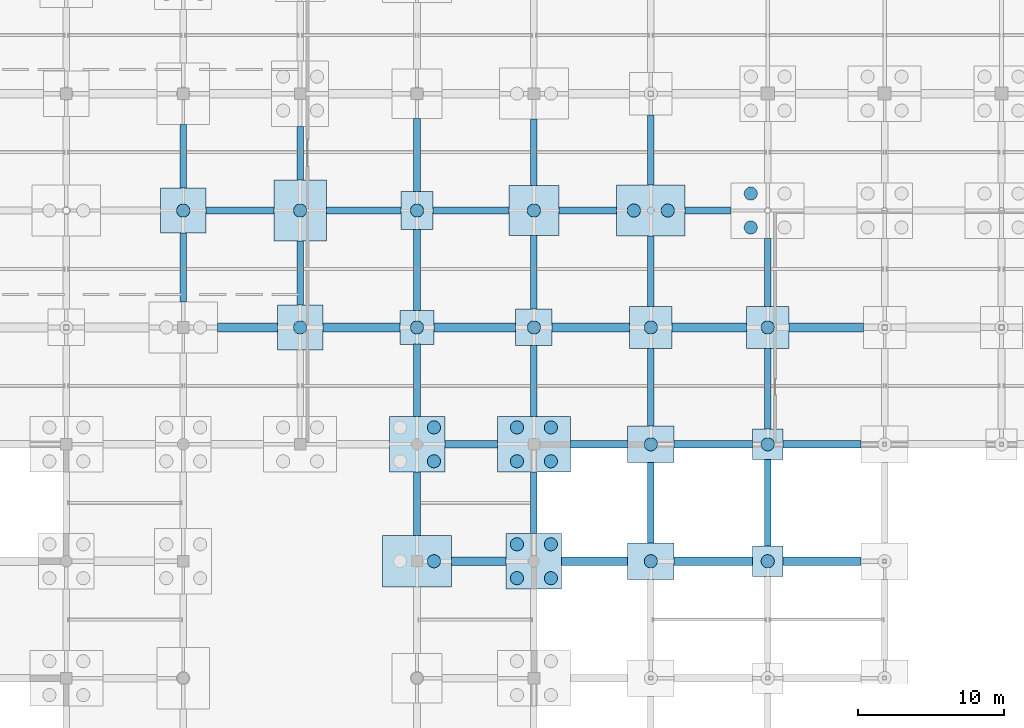
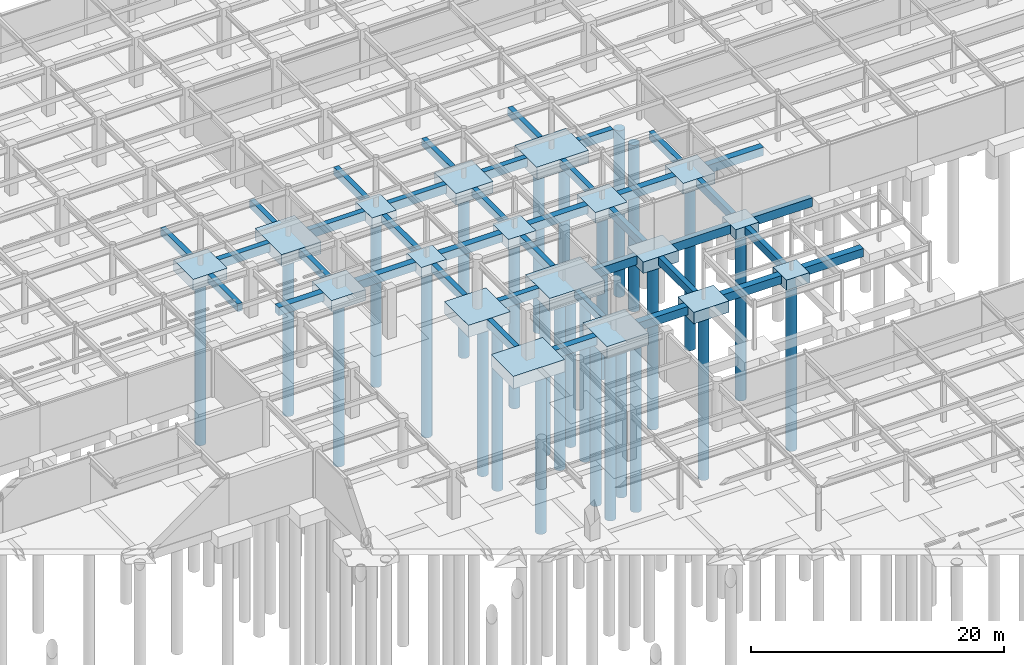
# One storey, part 7 of 105: 56 footings, 28 piles.
"""IFC4 building model written with IfcOpenShell, lengths in metres."""

from ifc_helpers import new_model, si_unit, direction, frame, origin, origin_2d, place, context, subcontext, project, spatial, rectangle, circle, extrude, material, material_profile, profile_set, type_object, element, save


model = new_model("IFC4")

# Units and contexts
model_context = context("Model", 3, precision=1e-05, world=origin(), true_north=direction((0.0, 1.0)))
body_context = subcontext(model_context, "Body", "Model", "MODEL_VIEW")
ifc_project = project(units=[si_unit("LENGTHUNIT", "METRE"), si_unit("AREAUNIT", "SQUARE_METRE"), si_unit("VOLUMEUNIT", "CUBIC_METRE"), si_unit("PLANEANGLEUNIT", "RADIAN"), si_unit("MASSUNIT", "GRAM", prefix="KILO")], contexts=[model_context])

# Site, building, storey
site_placement = place(None, origin())
site = spatial("IfcSite", under=ifc_project, at=site_placement, CompositionType="ELEMENT")
building_placement = place(site_placement, origin())
building = spatial("IfcBuilding", under=site, at=building_placement, Name="Solmirada Galleria", CompositionType="ELEMENT")
storey_placement = place(building_placement, frame((0.0, 0.0, -4.800048828125)))
storey = spatial("IfcBuildingStorey", under=building, at=storey_placement, Name="B1", CompositionType="ELEMENT", Elevation=-4.800048828125)

# Footings
ifc_material_1 = material(Name="Concrete C35/45", Category="concrete")
footing_type_1 = type_object("IfcFootingType", Name="PC-01", PredefinedType="PILE_CAP", material=ifc_material_1)
for number, where, z_axis, x_axis, name in (
    (1, (128.0, 64.0, -1.0), (0.0, 0.0, 1.0), (1.0, 0.0, 0.0), "Pile cap at (128.0, 64.0)"),
    (2, (128.0, 72.0, -1.0), (0.0, 0.0, 1.0), (1.0, 0.0, 0.0), "Pile cap at (128.0, 72.0)"),
):
    element("IfcFooting", number, at=place(storey_placement, frame(where, z_axis=z_axis, x_axis=x_axis)), inside=storey, type_object=footing_type_1, Name=name, PredefinedType="PILE_CAP", context=body_context, shape_type="SweptSolid", body=[
        extrude(rectangle(XDim=2.10009765625, YDim=2.10009765625, at=origin_2d()), origin(), (0.0, 0.0, 1.0), 1.0),
    ])
footing_type_2 = type_object("IfcFootingType", Name="PC-02", PredefinedType="PILE_CAP", material=ifc_material_1)
footing_1_placement = place(storey_placement, frame((112.0, 80.0, -1.0), z_axis=(0.0, 0.0, 1.0), x_axis=(1.0, 0.0, 0.0)))
element("IfcFooting", 3, at=footing_1_placement, inside=storey, type_object=footing_type_2, Name="Pile cap at (112.0, 80.0)", PredefinedType="PILE_CAP", context=body_context, shape_type="SweptSolid", body=[
    extrude(rectangle(XDim=2.5, YDim=2.5, at=origin_2d()), origin(), (0.0, 0.0, 1.0), 1.0),
])
footing_type_3 = type_object("IfcFootingType", Name="PC-03", PredefinedType="PILE_CAP", material=ifc_material_1)
for number, where, z_axis, x_axis, name in (
    (4, (120.0, 80.0, -1.0498046875), (0.0, 0.0, 1.0), (1.0, 0.0, 0.0), "Pile cap at (120.0, 80.0)"),
    (5, (128.0, 80.0, -1.0498046875), (0.0, 0.0, 1.0), (1.0, 0.0, 0.0), "Pile cap at (128.0, 80.0)"),
):
    element("IfcFooting", number, at=place(storey_placement, frame(where, z_axis=z_axis, x_axis=x_axis)), inside=storey, type_object=footing_type_3, Name=name, PredefinedType="PILE_CAP", context=body_context, shape_type="SweptSolid", body=[
        extrude(rectangle(XDim=2.89990234375, YDim=2.89990234375, at=origin_2d()), origin(), (0.0, 0.0, 1.0), 1.050048828125),
    ])
footing_type_4 = type_object("IfcFootingType", Name="PC-04", PredefinedType="PILE_CAP", material=ifc_material_1)
footing_2_placement = place(storey_placement, frame((112.0, 88.0, -1.10009765625), z_axis=(0.0, 0.0, 1.0), x_axis=(1.0, 0.0, 0.0)))
element("IfcFooting", 6, at=footing_2_placement, inside=storey, type_object=footing_type_4, Name="Pile cap at (112.0, 88.0)", PredefinedType="PILE_CAP", context=body_context, shape_type="SweptSolid", body=[
    extrude(rectangle(XDim=3.39990234375, YDim=3.39990234375, at=origin_2d()), origin(), (0.0, 0.0, 1.0), 1.10009765625),
])
footing_type_5 = type_object("IfcFootingType", Name="PC-05", PredefinedType="PILE_CAP", material=ifc_material_1)
for number, where, z_axis, x_axis, name in (
    (7, (104.0, 72.0, -1.14990234375), (0.0, 0.0, 1.0), (1.0, 0.0, 0.0), "Pile cap at (104.0, 72.0)"),
    (8, (112.0, 64.0, -1.14990234375), (0.0, 0.0, 1.0), (1.0, 0.0, 0.0), "Pile cap at (112.0, 64.0)"),
):
    element("IfcFooting", number, at=place(storey_placement, frame(where, z_axis=z_axis, x_axis=x_axis)), inside=storey, type_object=footing_type_5, Name=name, PredefinedType="PILE_CAP", context=body_context, shape_type="SweptSolid", body=[
        extrude(rectangle(XDim=3.800048828125, YDim=3.800048828125, at=origin_2d()), origin(), (0.0, 0.0, 1.0), 1.14990234375),
    ])
footing_type_6 = type_object("IfcFootingType", Name="PC-08", PredefinedType="PILE_CAP", material=ifc_material_1)
for number, where, z_axis, x_axis, name in (
    (9, (104.0, 64.0, -1.19970703125), (0.0, 0.0, 1.0), (1.0, 0.0, 0.0), "Pile cap at (104.0, 64.0)"),
    (10, (120.0, 88.0, -1.19970703125), (0.0, 0.0, 1.0), (1.0, 0.0, 0.0), "Pile cap at (120.0, 88.0)"),
):
    element("IfcFooting", number, at=place(storey_placement, frame(where, z_axis=z_axis, x_axis=x_axis)), inside=storey, type_object=footing_type_6, Name=name, PredefinedType="PILE_CAP", context=body_context, shape_type="SweptSolid", body=[
        extrude(rectangle(XDim=4.699951171875, YDim=3.5, at=origin_2d()), origin(), (0.0, 0.0, 1.0), 1.199951171875),
    ])
footing_type_7 = type_object("IfcFootingType", Name="PC-09", PredefinedType="PILE_CAP", material=ifc_material_1)
footing_3_placement = place(storey_placement, frame((112.0, 72.0, -1.25), z_axis=(0.0, 0.0, 1.0), x_axis=(1.0, 0.0, 0.0)))
element("IfcFooting", 11, at=footing_3_placement, inside=storey, type_object=footing_type_7, Name="Pile cap at (112.0, 72.0)", PredefinedType="PILE_CAP", context=body_context, shape_type="SweptSolid", body=[
    extrude(rectangle(XDim=5.0, YDim=3.800048828125, at=origin_2d()), origin(), (0.0, 0.0, 1.0), 1.25),
])
footing_type_8 = type_object("IfcFootingType", Name="PC-10", PredefinedType="PILE_CAP", material=ifc_material_1)
for number, where, z_axis, x_axis, name in (
    (12, (120.0, 64.0, -1.10009765625), (0.0, 0.0, 1.0), (1.0, 0.0, 0.0), "Pile cap at (120.0, 64.0)"),
    (13, (120.0, 72.0, -1.10009765625), (0.0, 0.0, 1.0), (1.0, 0.0, 0.0), "Pile cap at (120.0, 72.0)"),
):
    element("IfcFooting", number, at=place(storey_placement, frame(where, z_axis=z_axis, x_axis=x_axis)), inside=storey, type_object=footing_type_8, Name=name, PredefinedType="PILE_CAP", context=body_context, shape_type="SweptSolid", body=[
        extrude(rectangle(XDim=3.199951171875, YDim=2.5, at=origin_2d()), origin(), (0.0, 0.0, 1.0), 1.10009765625),
    ])
footing_type_9 = type_object("IfcFootingType", Name="PC-18", PredefinedType="PILE_CAP", material=ifc_material_1)
footing_4_placement = place(storey_placement, frame((104.0, 80.0, -1.0), z_axis=(0.0, 0.0, 1.0), x_axis=(1.0, 0.0, 0.0)))
element("IfcFooting", 14, at=footing_4_placement, inside=storey, type_object=footing_type_9, Name="Pile cap at (104.0, 80.0)", PredefinedType="PILE_CAP", context=body_context, shape_type="SweptSolid", body=[
    extrude(rectangle(XDim=2.300048828125, YDim=2.300048828125, at=origin_2d()), origin(), (0.0, 0.0, 1.0), 1.0),
])
footing_type_10 = type_object("IfcFootingType", Name="PC-20", PredefinedType="PILE_CAP", material=ifc_material_1)
for number, where, z_axis, x_axis, name in (
    (15, (88.0, 88.0, -1.0498046875), (0.0, 0.0, 1.0), (1.0, 0.0, 0.0), "Pile cap at (88.0, 88.0)"),
    (16, (96.0, 80.0, -1.0498046875), (0.0, 0.0, 1.0), (1.0, 0.0, 0.0), "Pile cap at (96.0, 80.0)"),
):
    element("IfcFooting", number, at=place(storey_placement, frame(where, z_axis=z_axis, x_axis=x_axis)), inside=storey, type_object=footing_type_10, Name=name, PredefinedType="PILE_CAP", context=body_context, shape_type="SweptSolid", body=[
        extrude(rectangle(XDim=3.10009765625, YDim=3.10009765625, at=origin_2d()), origin(), (0.0, 0.0, 1.0), 1.050048828125),
    ])
footing_type_11 = type_object("IfcFootingType", Name="PC-21", PredefinedType="PILE_CAP", material=ifc_material_1)
footing_5_placement = place(storey_placement, frame((104.0, 88.0, -1.0), z_axis=(0.0, 0.0, 1.0), x_axis=(1.0, 0.0, 0.0)))
element("IfcFooting", 17, at=footing_5_placement, inside=storey, type_object=footing_type_11, Name="Pile cap at (104.0, 88.0)", PredefinedType="PILE_CAP", context=body_context, shape_type="SweptSolid", body=[
    extrude(rectangle(XDim=2.199951171875, YDim=2.60009765625, at=origin_2d()), origin(), (0.0, 0.0, 1.0), 1.0),
])
footing_type_12 = type_object("IfcFootingType", Name="PC-25", PredefinedType="PILE_CAP", material=ifc_material_1)
footing_6_placement = place(storey_placement, frame((96.0, 88.0, -1.14990234375), z_axis=(0.0, 0.0, 1.0), x_axis=(1.0, 0.0, 0.0)))
element("IfcFooting", 18, at=footing_6_placement, inside=storey, type_object=footing_type_12, Name="Pile cap at (96.0, 88.0)", PredefinedType="PILE_CAP", context=body_context, shape_type="SweptSolid", body=[
    extrude(rectangle(XDim=3.60009765625, YDim=4.199951171875, at=origin_2d()), origin(), (0.0, 0.0, 1.0), 1.14990234375),
])

# Piles
ifc_material_2 = material(Name="Concrete C40/50", Category="concrete")
ifc_material_profile_1 = material_profile(ifc_material_2, circle(Radius=0.449951171875, at=origin_2d()), Name="PILE900")
ifc_profile_set_1 = profile_set([ifc_material_profile_1], Name="Concrete C40/50")
pile_type = type_object("IfcPileType", Name="PILE-900", PredefinedType="BORED", material=ifc_profile_set_1)
for number, where, z_axis, x_axis, name in (
    (19, (88.0, 88.0, -0.949951171875), (0.0, 0.0, -1.0), (1.0, 0.0, 0.0), "Bored pile at (88.00, 88.00)"),
    (20, (96.0, 80.0, -0.949951171875), (0.0, 0.0, -1.0), (1.0, 0.0, 0.0), "Bored pile at (96.00, 80.00)"),
):
    element("IfcPile", number, at=place(storey_placement, frame(where, z_axis=z_axis, x_axis=x_axis)), inside=storey, type_object=pile_type, Name=name, PredefinedType="BORED", context=body_context, shape_type="SweptSolid", body=[
        extrude(circle(Radius=0.449951171875, at=origin_2d()), origin(), (0.0, 0.0, 1.0), 16.25),
    ])
pile_1_placement = place(storey_placement, frame((96.0, 88.0, -1.050048828125), z_axis=(0.0, 0.0, -1.0), x_axis=(1.0, 0.0, 0.0)))
element("IfcPile", 21, at=pile_1_placement, inside=storey, type_object=pile_type, Name="Bored pile at (96.00, 88.00)", PredefinedType="BORED", context=body_context, shape_type="SweptSolid", body=[
    extrude(circle(Radius=0.449951171875, at=origin_2d()), origin(), (0.0, 0.0, 1.0), 16.14990234375),
])
pile_2_placement = place(storey_placement, frame((105.159912109375, 64.0, -1.099853515625), z_axis=(0.0, 0.0, -1.0), x_axis=(1.0, 0.0, 0.0)))
element("IfcPile", 22, at=pile_2_placement, inside=storey, type_object=pile_type, Name="Bored pile at (105.16, 64.00)", PredefinedType="BORED", context=body_context, shape_type="SweptSolid", body=[
    extrude(circle(Radius=0.449951171875, at=origin_2d()), origin(), (0.0, 0.0, 1.0), 16.10009765625),
])
for number, where, z_axis, x_axis, name in (
    (23, (105.159912109375, 70.840087890625, -1.050048828125), (0.0, 0.0, -1.0), (1.0, 0.0, 0.0), "Bored pile at (105.16, 70.84)"),
    (24, (105.159912109375, 73.159912109375, -1.050048828125), (0.0, 0.0, -1.0), (1.0, 0.0, 0.0), "Bored pile at (105.16, 73.16)"),
):
    element("IfcPile", number, at=place(storey_placement, frame(where, z_axis=z_axis, x_axis=x_axis)), inside=storey, type_object=pile_type, Name=name, PredefinedType="BORED", context=body_context, shape_type="SweptSolid", body=[
        extrude(circle(Radius=0.449951171875, at=origin_2d()), origin(), (0.0, 0.0, 1.0), 16.14990234375),
    ])
for number, where, z_axis, x_axis, name in (
    (25, (104.0, 80.0, -0.89990234375), (0.0, 0.0, -1.0), (1.0, 0.0, 0.0), "Bored pile at (104.00, 80.00)"),
    (26, (104.0, 88.0, -0.89990234375), (0.0, 0.0, -1.0), (1.0, 0.0, 0.0), "Bored pile at (104.00, 88.00)"),
):
    element("IfcPile", number, at=place(storey_placement, frame(where, z_axis=z_axis, x_axis=x_axis)), inside=storey, type_object=pile_type, Name=name, PredefinedType="BORED", context=body_context, shape_type="SweptSolid", body=[
        extrude(circle(Radius=0.449951171875, at=origin_2d()), origin(), (0.0, 0.0, 1.0), 16.300048828125),
    ])
for number, where, z_axis, x_axis, name in (
    (27, (110.840087890625, 62.840087890625, -1.050048828125), (0.0, 0.0, -1.0), (1.0, 0.0, 0.0), "Bored pile at (110.84, 62.84)"),
    (28, (113.159912109375, 62.840087890625, -1.050048828125), (0.0, 0.0, -1.0), (1.0, 0.0, 0.0), "Bored pile at (113.16, 62.84)"),
    (29, (110.840087890625, 65.159912109375, -1.050048828125), (0.0, 0.0, -1.0), (1.0, 0.0, 0.0), "Bored pile at (110.84, 65.16)"),
    (30, (113.159912109375, 65.159912109375, -1.050048828125), (0.0, 0.0, -1.0), (1.0, 0.0, 0.0), "Bored pile at (113.16, 65.16)"),
):
    element("IfcPile", number, at=place(storey_placement, frame(where, z_axis=z_axis, x_axis=x_axis)), inside=storey, type_object=pile_type, Name=name, PredefinedType="BORED", context=body_context, shape_type="SweptSolid", body=[
        extrude(circle(Radius=0.449951171875, at=origin_2d()), origin(), (0.0, 0.0, 1.0), 16.14990234375),
    ])
for number, where, z_axis, x_axis, name in (
    (31, (110.840087890625, 70.840087890625, -1.14990234375), (0.0, 0.0, -1.0), (1.0, 0.0, 0.0), "Bored pile at (110.84, 70.84)"),
    (32, (113.159912109375, 70.840087890625, -1.14990234375), (0.0, 0.0, -1.0), (1.0, 0.0, 0.0), "Bored pile at (113.16, 70.84)"),
    (33, (110.840087890625, 73.159912109375, -1.14990234375), (0.0, 0.0, -1.0), (1.0, 0.0, 0.0), "Bored pile at (110.84, 73.16)"),
    (34, (113.159912109375, 73.159912109375, -1.14990234375), (0.0, 0.0, -1.0), (1.0, 0.0, 0.0), "Bored pile at (113.16, 73.16)"),
):
    element("IfcPile", number, at=place(storey_placement, frame(where, z_axis=z_axis, x_axis=x_axis)), inside=storey, type_object=pile_type, Name=name, PredefinedType="BORED", context=body_context, shape_type="SweptSolid", body=[
        extrude(circle(Radius=0.449951171875, at=origin_2d()), origin(), (0.0, 0.0, 1.0), 16.050048828125),
    ])
pile_3_placement = place(storey_placement, frame((112.0, 80.0, -0.89990234375), z_axis=(0.0, 0.0, -1.0), x_axis=(1.0, 0.0, 0.0)))
element("IfcPile", 35, at=pile_3_placement, inside=storey, type_object=pile_type, Name="Bored pile at (112.00, 80.00)", PredefinedType="BORED", context=body_context, shape_type="SweptSolid", body=[
    extrude(circle(Radius=0.449951171875, at=origin_2d()), origin(), (0.0, 0.0, 1.0), 16.300048828125),
])
for number, where, z_axis, x_axis, name in (
    (36, (112.0, 88.0, -1.0), (0.0, 0.0, -1.0), (1.0, 0.0, 0.0), "Bored pile at (112.00, 88.00)"),
    (37, (120.0, 64.0, -1.0), (0.0, 0.0, -1.0), (1.0, 0.0, 0.0), "Bored pile at (120.00, 64.00)"),
    (38, (120.0, 72.0, -1.0), (0.0, 0.0, -1.0), (1.0, 0.0, 0.0), "Bored pile at (120.00, 72.00)"),
):
    element("IfcPile", number, at=place(storey_placement, frame(where, z_axis=z_axis, x_axis=x_axis)), inside=storey, type_object=pile_type, Name=name, PredefinedType="BORED", context=body_context, shape_type="SweptSolid", body=[
        extrude(circle(Radius=0.449951171875, at=origin_2d()), origin(), (0.0, 0.0, 1.0), 16.199951171875),
    ])
pile_4_placement = place(storey_placement, frame((120.0, 80.0, -0.949951171875), z_axis=(0.0, 0.0, -1.0), x_axis=(1.0, 0.0, 0.0)))
element("IfcPile", 39, at=pile_4_placement, inside=storey, type_object=pile_type, Name="Bored pile at (120.00, 80.00)", PredefinedType="BORED", context=body_context, shape_type="SweptSolid", body=[
    extrude(circle(Radius=0.449951171875, at=origin_2d()), origin(), (0.0, 0.0, 1.0), 16.25),
])
for number, where, z_axis, x_axis, name in (
    (40, (118.840087890625, 88.0, -1.099853515625), (0.0, 0.0, -1.0), (1.0, 0.0, 0.0), "Bored pile at (118.84, 88.00)"),
    (41, (121.159912109375, 88.0, -1.099853515625), (0.0, 0.0, -1.0), (1.0, 0.0, 0.0), "Bored pile at (121.16, 88.00)"),
):
    element("IfcPile", number, at=place(storey_placement, frame(where, z_axis=z_axis, x_axis=x_axis)), inside=storey, type_object=pile_type, Name=name, PredefinedType="BORED", context=body_context, shape_type="SweptSolid", body=[
        extrude(circle(Radius=0.449951171875, at=origin_2d()), origin(), (0.0, 0.0, 1.0), 16.10009765625),
    ])
for number, where, z_axis, x_axis, name in (
    (42, (128.0, 64.0, -0.89990234375), (0.0, 0.0, -1.0), (1.0, 0.0, 0.0), "Bored pile at (128.00, 64.00)"),
    (43, (128.0, 72.0, -0.89990234375), (0.0, 0.0, -1.0), (1.0, 0.0, 0.0), "Bored pile at (128.00, 72.00)"),
):
    element("IfcPile", number, at=place(storey_placement, frame(where, z_axis=z_axis, x_axis=x_axis)), inside=storey, type_object=pile_type, Name=name, PredefinedType="BORED", context=body_context, shape_type="SweptSolid", body=[
        extrude(circle(Radius=0.449951171875, at=origin_2d()), origin(), (0.0, 0.0, 1.0), 16.300048828125),
    ])
pile_5_placement = place(storey_placement, frame((128.0, 80.0, -0.949951171875), z_axis=(0.0, 0.0, -1.0), x_axis=(1.0, 0.0, 0.0)))
element("IfcPile", 44, at=pile_5_placement, inside=storey, type_object=pile_type, Name="Bored pile at (128.00, 80.00)", PredefinedType="BORED", context=body_context, shape_type="SweptSolid", body=[
    extrude(circle(Radius=0.449951171875, at=origin_2d()), origin(), (0.0, 0.0, 1.0), 16.25),
])
for number, where, z_axis, x_axis, name in (
    (45, (126.840087890625, 86.840087890625, -1.14990234375), (0.0, 0.0, -1.0), (1.0, 0.0, 0.0), "Bored pile at (126.84, 86.84)"),
    (46, (126.840087890625, 89.159912109375, -1.14990234375), (0.0, 0.0, -1.0), (1.0, 0.0, 0.0), "Bored pile at (126.84, 89.16)"),
):
    element("IfcPile", number, at=place(storey_placement, frame(where, z_axis=z_axis, x_axis=x_axis)), inside=storey, type_object=pile_type, Name=name, PredefinedType="BORED", context=body_context, shape_type="SweptSolid", body=[
        extrude(circle(Radius=0.449951171875, at=origin_2d()), origin(), (0.0, 0.0, 1.0), 16.050048828125),
    ])

# Footings
ifc_material_profile_2 = material_profile(ifc_material_1, rectangle(XDim=0.449951171875, YDim=0.75, at=origin_2d()), Name="RC750X450")
ifc_profile_set_2 = profile_set([ifc_material_profile_2], Name="Concrete C35/45")
footing_type_13 = type_object("IfcFootingType", Name="TB-750X450", PredefinedType="FOOTING_BEAM", material=ifc_profile_set_2)
footing_7_placement = place(storey_placement, frame((88.0, 81.75, -0.375), z_axis=(0.0, 1.0, 0.0), x_axis=(-1.0, 0.0, 0.0)))
element("IfcFooting", 47, at=footing_7_placement, inside=storey, type_object=footing_type_13, Name="Foundation tie beam Y (88, 80..88)", PredefinedType="FOOTING_BEAM", context=body_context, shape_type="SweptSolid", body=[
    extrude(rectangle(XDim=0.449951171875, YDim=0.75, at=origin_2d()), origin(), (0.0, 0.0, 1.0), 4.699951171875),
])
for number, where, z_axis, x_axis, name in (
    (48, (88.0, 89.550048828125, -0.375), (0.0, 1.0, 0.0), (-1.0, 0.0, 0.0), "Foundation tie beam Y (88, 88..96)"),
    (49, (96.0, 81.550048828125, -0.375), (0.0, 1.0, 0.0), (-1.0, 0.0, 0.0), "Foundation tie beam Y (96, 80..88)"),
):
    element("IfcFooting", number, at=place(storey_placement, frame(where, z_axis=z_axis, x_axis=x_axis)), inside=storey, type_object=footing_type_13, Name=name, PredefinedType="FOOTING_BEAM", context=body_context, shape_type="SweptSolid", body=[
        extrude(rectangle(XDim=0.449951171875, YDim=0.75, at=origin_2d()), origin(), (0.0, 0.0, 1.0), 4.349853515625),
    ])
footing_8_placement = place(storey_placement, frame((96.0, 90.10009765625, -0.375), z_axis=(0.0, 1.0, 0.0), x_axis=(-1.0, 0.0, 0.0)))
element("IfcFooting", 50, at=footing_8_placement, inside=storey, type_object=footing_type_13, Name="Foundation tie beam Y (96, 88..96)", PredefinedType="FOOTING_BEAM", context=body_context, shape_type="SweptSolid", body=[
    extrude(rectangle(XDim=0.449951171875, YDim=0.75, at=origin_2d()), origin(), (0.0, 0.0, 1.0), 3.64990234375),
])
footing_9_placement = place(storey_placement, frame((104.0, 65.75, -0.375), z_axis=(0.0, 1.0, 0.0), x_axis=(-1.0, 0.0, 0.0)))
element("IfcFooting", 51, at=footing_9_placement, inside=storey, type_object=footing_type_13, Name="Foundation tie beam Y (104, 64..72)", PredefinedType="FOOTING_BEAM", context=body_context, shape_type="SweptSolid", body=[
    extrude(rectangle(XDim=0.449951171875, YDim=0.75, at=origin_2d()), origin(), (0.0, 0.0, 1.0), 4.35009765625),
])
footing_10_placement = place(storey_placement, frame((104.0, 73.89990234375, -0.375), z_axis=(0.0, 1.0, 0.0), x_axis=(-1.0, 0.0, 0.0)))
element("IfcFooting", 52, at=footing_10_placement, inside=storey, type_object=footing_type_13, Name="Foundation tie beam Y (104, 72..80)", PredefinedType="FOOTING_BEAM", context=body_context, shape_type="SweptSolid", body=[
    extrude(rectangle(XDim=0.449951171875, YDim=0.75, at=origin_2d()), origin(), (0.0, 0.0, 1.0), 4.9501953125),
])
footing_11_placement = place(storey_placement, frame((104.0, 81.14990234375, -0.375), z_axis=(0.0, 1.0, 0.0), x_axis=(-1.0, 0.0, 0.0)))
element("IfcFooting", 53, at=footing_11_placement, inside=storey, type_object=footing_type_13, Name="Foundation tie beam Y (104, 80..88)", PredefinedType="FOOTING_BEAM", context=body_context, shape_type="SweptSolid", body=[
    extrude(rectangle(XDim=0.449951171875, YDim=0.75, at=origin_2d()), origin(), (0.0, 0.0, 1.0), 5.550048828125),
])
footing_12_placement = place(storey_placement, frame((104.0, 89.300048828125, -0.375), z_axis=(0.0, 1.0, 0.0), x_axis=(-1.0, 0.0, 0.0)))
element("IfcFooting", 54, at=footing_12_placement, inside=storey, type_object=footing_type_13, Name="Foundation tie beam Y (104, 88..96)", PredefinedType="FOOTING_BEAM", context=body_context, shape_type="SweptSolid", body=[
    extrude(rectangle(XDim=0.449951171875, YDim=0.75, at=origin_2d()), origin(), (0.0, 0.0, 1.0), 5.0),
])
footing_13_placement = place(storey_placement, frame((112.0, 65.89990234375, -0.375), z_axis=(0.0, 1.0, 0.0), x_axis=(-1.0, 0.0, 0.0)))
element("IfcFooting", 55, at=footing_13_placement, inside=storey, type_object=footing_type_13, Name="Foundation tie beam Y (112, 64..72)", PredefinedType="FOOTING_BEAM", context=body_context, shape_type="SweptSolid", body=[
    extrude(rectangle(XDim=0.449951171875, YDim=0.75, at=origin_2d()), origin(), (0.0, 0.0, 1.0), 4.2001953125),
])
footing_14_placement = place(storey_placement, frame((112.0, 73.89990234375, -0.375), z_axis=(0.0, 1.0, 0.0), x_axis=(-1.0, 0.0, 0.0)))
element("IfcFooting", 56, at=footing_14_placement, inside=storey, type_object=footing_type_13, Name="Foundation tie beam Y (112, 72..80)", PredefinedType="FOOTING_BEAM", context=body_context, shape_type="SweptSolid", body=[
    extrude(rectangle(XDim=0.449951171875, YDim=0.75, at=origin_2d()), origin(), (0.0, 0.0, 1.0), 4.85009765625),
])
footing_15_placement = place(storey_placement, frame((112.0, 81.25, -0.375), z_axis=(0.0, 1.0, 0.0), x_axis=(-1.0, 0.0, 0.0)))
element("IfcFooting", 57, at=footing_15_placement, inside=storey, type_object=footing_type_13, Name="Foundation tie beam Y (112, 80..88)", PredefinedType="FOOTING_BEAM", context=body_context, shape_type="SweptSolid", body=[
    extrude(rectangle(XDim=0.449951171875, YDim=0.75, at=origin_2d()), origin(), (0.0, 0.0, 1.0), 5.050048828125),
])
footing_16_placement = place(storey_placement, frame((112.0, 89.699951171875, -0.375), z_axis=(0.0, 1.0, 0.0), x_axis=(-1.0, 0.0, 0.0)))
element("IfcFooting", 58, at=footing_16_placement, inside=storey, type_object=footing_type_13, Name="Foundation tie beam Y (112, 88..96)", PredefinedType="FOOTING_BEAM", context=body_context, shape_type="SweptSolid", body=[
    extrude(rectangle(XDim=0.449951171875, YDim=0.75, at=origin_2d()), origin(), (0.0, 0.0, 1.0), 4.550048828125),
])
footing_17_placement = place(storey_placement, frame((120.0, 65.25, -0.375), z_axis=(0.0, 1.0, 0.0), x_axis=(-1.0, 0.0, 0.0)))
element("IfcFooting", 59, at=footing_17_placement, inside=storey, type_object=footing_type_13, Name="Foundation tie beam Y (120, 64..72)", PredefinedType="FOOTING_BEAM", context=body_context, shape_type="SweptSolid", body=[
    extrude(rectangle(XDim=0.449951171875, YDim=0.75, at=origin_2d()), origin(), (0.0, 0.0, 1.0), 5.5),
])
footing_18_placement = place(storey_placement, frame((120.0, 73.25, -0.375), z_axis=(0.0, 1.0, 0.0), x_axis=(-1.0, 0.0, 0.0)))
element("IfcFooting", 60, at=footing_18_placement, inside=storey, type_object=footing_type_13, Name="Foundation tie beam Y (120, 72..80)", PredefinedType="FOOTING_BEAM", context=body_context, shape_type="SweptSolid", body=[
    extrude(rectangle(XDim=0.449951171875, YDim=0.75, at=origin_2d()), origin(), (0.0, 0.0, 1.0), 5.300048828125),
])
for number, where, z_axis, x_axis, name in (
    (61, (120.0, 81.449951171875, -0.375), (0.0, 1.0, 0.0), (-1.0, 0.0, 0.0), "Foundation tie beam Y (120, 80..88)"),
    (62, (120.0, 89.75, -0.375), (0.0, 1.0, 0.0), (-1.0, 0.0, 0.0), "Foundation tie beam Y (120, 88..96)"),
):
    element("IfcFooting", number, at=place(storey_placement, frame(where, z_axis=z_axis, x_axis=x_axis)), inside=storey, type_object=footing_type_13, Name=name, PredefinedType="FOOTING_BEAM", context=body_context, shape_type="SweptSolid", body=[
        extrude(rectangle(XDim=0.449951171875, YDim=0.75, at=origin_2d()), origin(), (0.0, 0.0, 1.0), 4.800048828125),
    ])
footing_19_placement = place(storey_placement, frame((128.0, 65.050048828125, -0.375), z_axis=(0.0, 1.0, 0.0), x_axis=(-1.0, 0.0, 0.0)))
element("IfcFooting", 63, at=footing_19_placement, inside=storey, type_object=footing_type_13, Name="Foundation tie beam Y (128, 64..72)", PredefinedType="FOOTING_BEAM", context=body_context, shape_type="SweptSolid", body=[
    extrude(rectangle(XDim=0.449951171875, YDim=0.75, at=origin_2d()), origin(), (0.0, 0.0, 1.0), 5.89990234375),
])
footing_20_placement = place(storey_placement, frame((128.0, 73.050048828125, -0.375), z_axis=(0.0, 1.0, 0.0), x_axis=(-1.0, 0.0, 0.0)))
element("IfcFooting", 64, at=footing_20_placement, inside=storey, type_object=footing_type_13, Name="Foundation tie beam Y (128, 72..80)", PredefinedType="FOOTING_BEAM", context=body_context, shape_type="SweptSolid", body=[
    extrude(rectangle(XDim=0.449951171875, YDim=0.75, at=origin_2d()), origin(), (0.0, 0.0, 1.0), 5.5),
])
footing_21_placement = place(storey_placement, frame((128.0, 81.449951171875, -0.375), z_axis=(0.0, 1.0, 0.0), x_axis=(-1.0, 0.0, 0.0)))
element("IfcFooting", 65, at=footing_21_placement, inside=storey, type_object=footing_type_13, Name="Foundation tie beam Y (128, 80..88)", PredefinedType="FOOTING_BEAM", context=body_context, shape_type="SweptSolid", body=[
    extrude(rectangle(XDim=0.449951171875, YDim=0.75, at=origin_2d()), origin(), (0.0, 0.0, 1.0), 4.650146484375),
])
ifc_material_profile_3 = material_profile(ifc_material_1, rectangle(XDim=0.60009765625, YDim=0.800048828125, at=origin_2d()), Name="RC800X600")
ifc_profile_set_3 = profile_set([ifc_material_profile_3], Name="Concrete C35/45")
footing_type_14 = type_object("IfcFootingType", Name="TB-800X600", PredefinedType="FOOTING_BEAM", material=ifc_profile_set_3)
footing_22_placement = place(storey_placement, frame((90.35009765625, 80.0, -0.39990234375), z_axis=(1.0, 0.0, 0.0), x_axis=(0.0, 1.0, 0.0)))
element("IfcFooting", 66, at=footing_22_placement, inside=storey, type_object=footing_type_14, Name="Foundation tie beam X (88..96, 80)", PredefinedType="FOOTING_BEAM", context=body_context, shape_type="SweptSolid", body=[
    extrude(rectangle(XDim=0.60009765625, YDim=0.800048828125, at=origin_2d()), origin(), (0.0, 0.0, 1.0), 4.099853515625),
])
footing_23_placement = place(storey_placement, frame((97.550048828125, 80.0, -0.39990234375), z_axis=(1.0, 0.0, 0.0), x_axis=(0.0, 1.0, 0.0)))
element("IfcFooting", 67, at=footing_23_placement, inside=storey, type_object=footing_type_14, Name="Foundation tie beam X (96..104, 80)", PredefinedType="FOOTING_BEAM", context=body_context, shape_type="SweptSolid", body=[
    extrude(rectangle(XDim=0.60009765625, YDim=0.800048828125, at=origin_2d()), origin(), (0.0, 0.0, 1.0), 5.300048828125),
])
footing_24_placement = place(storey_placement, frame((106.35009765625, 64.0, -0.39990234375), z_axis=(1.0, 0.0, 0.0), x_axis=(0.0, 1.0, 0.0)))
element("IfcFooting", 68, at=footing_24_placement, inside=storey, type_object=footing_type_14, Name="Foundation tie beam X (104..112, 64)", PredefinedType="FOOTING_BEAM", context=body_context, shape_type="SweptSolid", body=[
    extrude(rectangle(XDim=0.60009765625, YDim=0.800048828125, at=origin_2d()), origin(), (0.0, 0.0, 1.0), 3.75),
])
footing_25_placement = place(storey_placement, frame((105.14990234375, 80.0, -0.39990234375), z_axis=(1.0, 0.0, 0.0), x_axis=(0.0, 1.0, 0.0)))
element("IfcFooting", 69, at=footing_25_placement, inside=storey, type_object=footing_type_14, Name="Foundation tie beam X (104..112, 80)", PredefinedType="FOOTING_BEAM", context=body_context, shape_type="SweptSolid", body=[
    extrude(rectangle(XDim=0.60009765625, YDim=0.800048828125, at=origin_2d()), origin(), (0.0, 0.0, 1.0), 5.60009765625),
])
footing_26_placement = place(storey_placement, frame((113.89990234375, 64.0, -0.39990234375), z_axis=(1.0, 0.0, 0.0), x_axis=(0.0, 1.0, 0.0)))
element("IfcFooting", 70, at=footing_26_placement, inside=storey, type_object=footing_type_14, Name="Foundation tie beam X (112..120, 64)", PredefinedType="FOOTING_BEAM", context=body_context, shape_type="SweptSolid", body=[
    extrude(rectangle(XDim=0.60009765625, YDim=0.800048828125, at=origin_2d()), origin(), (0.0, 0.0, 1.0), 4.5),
])
footing_27_placement = place(storey_placement, frame((113.25, 80.0, -0.39990234375), z_axis=(1.0, 0.0, 0.0), x_axis=(0.0, 1.0, 0.0)))
element("IfcFooting", 71, at=footing_27_placement, inside=storey, type_object=footing_type_14, Name="Foundation tie beam X (112..120, 80)", PredefinedType="FOOTING_BEAM", context=body_context, shape_type="SweptSolid", body=[
    extrude(rectangle(XDim=0.60009765625, YDim=0.800048828125, at=origin_2d()), origin(), (0.0, 0.0, 1.0), 5.300048828125),
])
footing_28_placement = place(storey_placement, frame((121.60009765625, 64.0, -0.39990234375), z_axis=(1.0, 0.0, 0.0), x_axis=(0.0, 1.0, 0.0)))
element("IfcFooting", 72, at=footing_28_placement, inside=storey, type_object=footing_type_14, Name="Foundation tie beam X (120..128, 64)", PredefinedType="FOOTING_BEAM", context=body_context, shape_type="SweptSolid", body=[
    extrude(rectangle(XDim=0.60009765625, YDim=0.800048828125, at=origin_2d()), origin(), (0.0, 0.0, 1.0), 5.349853515625),
])
footing_29_placement = place(storey_placement, frame((121.449951171875, 80.0, -0.39990234375), z_axis=(1.0, 0.0, 0.0), x_axis=(0.0, 1.0, 0.0)))
element("IfcFooting", 73, at=footing_29_placement, inside=storey, type_object=footing_type_14, Name="Foundation tie beam X (120..128, 80)", PredefinedType="FOOTING_BEAM", context=body_context, shape_type="SweptSolid", body=[
    extrude(rectangle(XDim=0.60009765625, YDim=0.800048828125, at=origin_2d()), origin(), (0.0, 0.0, 1.0), 5.10009765625),
])
footing_30_placement = place(storey_placement, frame((129.050048828125, 64.0, -0.39990234375), z_axis=(1.0, 0.0, 0.0), x_axis=(0.0, 1.0, 0.0)))
element("IfcFooting", 74, at=footing_30_placement, inside=storey, type_object=footing_type_14, Name="Foundation tie beam X (128..136, 64)", PredefinedType="FOOTING_BEAM", context=body_context, shape_type="SweptSolid", body=[
    extrude(rectangle(XDim=0.60009765625, YDim=0.800048828125, at=origin_2d()), origin(), (0.0, 0.0, 1.0), 5.349853515625),
])
footing_31_placement = place(storey_placement, frame((129.449951171875, 80.0, -0.39990234375), z_axis=(1.0, 0.0, 0.0), x_axis=(0.0, 1.0, 0.0)))
element("IfcFooting", 75, at=footing_31_placement, inside=storey, type_object=footing_type_14, Name="Foundation tie beam X (128..136, 80)", PredefinedType="FOOTING_BEAM", context=body_context, shape_type="SweptSolid", body=[
    extrude(rectangle(XDim=0.60009765625, YDim=0.800048828125, at=origin_2d()), origin(), (0.0, 0.0, 1.0), 5.10009765625),
])
ifc_material_profile_4 = material_profile(ifc_material_1, rectangle(XDim=0.5, YDim=0.85009765625, at=origin_2d()), Name="RC850X500")
ifc_profile_set_4 = profile_set([ifc_material_profile_4], Name="Concrete C35/45")
footing_type_15 = type_object("IfcFootingType", Name="TB-850X500", PredefinedType="FOOTING_BEAM", material=ifc_profile_set_4)
footing_32_placement = place(storey_placement, frame((89.550048828125, 88.0, -0.425048828125), z_axis=(1.0, 0.0, 0.0), x_axis=(0.0, 1.0, 0.0)))
element("IfcFooting", 76, at=footing_32_placement, inside=storey, type_object=footing_type_15, Name="Foundation tie beam X (88..96, 88)", PredefinedType="FOOTING_BEAM", context=body_context, shape_type="SweptSolid", body=[
    extrude(rectangle(XDim=0.5, YDim=0.85009765625, at=origin_2d()), origin(), (0.0, 0.0, 1.0), 4.64990234375),
])
footing_33_placement = place(storey_placement, frame((97.800048828125, 88.0, -0.425048828125), z_axis=(1.0, 0.0, 0.0), x_axis=(0.0, 1.0, 0.0)))
element("IfcFooting", 77, at=footing_33_placement, inside=storey, type_object=footing_type_15, Name="Foundation tie beam X (96..104, 88)", PredefinedType="FOOTING_BEAM", context=body_context, shape_type="SweptSolid", body=[
    extrude(rectangle(XDim=0.5, YDim=0.85009765625, at=origin_2d()), origin(), (0.0, 0.0, 1.0), 5.099853515625),
])
footing_34_placement = place(storey_placement, frame((105.89990234375, 72.0, -0.425048828125), z_axis=(1.0, 0.0, 0.0), x_axis=(0.0, 1.0, 0.0)))
element("IfcFooting", 78, at=footing_34_placement, inside=storey, type_object=footing_type_15, Name="Foundation tie beam X (104..112, 72)", PredefinedType="FOOTING_BEAM", context=body_context, shape_type="SweptSolid", body=[
    extrude(rectangle(XDim=0.5, YDim=0.85009765625, at=origin_2d()), origin(), (0.0, 0.0, 1.0), 3.60009765625),
])
footing_35_placement = place(storey_placement, frame((105.10009765625, 88.0, -0.425048828125), z_axis=(1.0, 0.0, 0.0), x_axis=(0.0, 1.0, 0.0)))
element("IfcFooting", 79, at=footing_35_placement, inside=storey, type_object=footing_type_15, Name="Foundation tie beam X (104..112, 88)", PredefinedType="FOOTING_BEAM", context=body_context, shape_type="SweptSolid", body=[
    extrude(rectangle(XDim=0.5, YDim=0.85009765625, at=origin_2d()), origin(), (0.0, 0.0, 1.0), 5.199951171875),
])
footing_36_placement = place(storey_placement, frame((114.5, 72.0, -0.425048828125), z_axis=(1.0, 0.0, 0.0), x_axis=(0.0, 1.0, 0.0)))
element("IfcFooting", 80, at=footing_36_placement, inside=storey, type_object=footing_type_15, Name="Foundation tie beam X (112..120, 72)", PredefinedType="FOOTING_BEAM", context=body_context, shape_type="SweptSolid", body=[
    extrude(rectangle(XDim=0.5, YDim=0.85009765625, at=origin_2d()), origin(), (0.0, 0.0, 1.0), 3.89990234375),
])
footing_37_placement = place(storey_placement, frame((113.699951171875, 88.0, -0.425048828125), z_axis=(1.0, 0.0, 0.0), x_axis=(0.0, 1.0, 0.0)))
element("IfcFooting", 81, at=footing_37_placement, inside=storey, type_object=footing_type_15, Name="Foundation tie beam X (112..120, 88)", PredefinedType="FOOTING_BEAM", context=body_context, shape_type="SweptSolid", body=[
    extrude(rectangle(XDim=0.5, YDim=0.85009765625, at=origin_2d()), origin(), (0.0, 0.0, 1.0), 3.949951171875),
])
footing_38_placement = place(storey_placement, frame((121.60009765625, 72.0, -0.425048828125), z_axis=(1.0, 0.0, 0.0), x_axis=(0.0, 1.0, 0.0)))
element("IfcFooting", 82, at=footing_38_placement, inside=storey, type_object=footing_type_15, Name="Foundation tie beam X (120..128, 72)", PredefinedType="FOOTING_BEAM", context=body_context, shape_type="SweptSolid", body=[
    extrude(rectangle(XDim=0.5, YDim=0.85009765625, at=origin_2d()), origin(), (0.0, 0.0, 1.0), 5.349853515625),
])
footing_39_placement = place(storey_placement, frame((122.35009765625, 88.0, -0.425048828125), z_axis=(1.0, 0.0, 0.0), x_axis=(0.0, 1.0, 0.0)))
element("IfcFooting", 83, at=footing_39_placement, inside=storey, type_object=footing_type_15, Name="Foundation tie beam X (120..128, 88)", PredefinedType="FOOTING_BEAM", context=body_context, shape_type="SweptSolid", body=[
    extrude(rectangle(XDim=0.5, YDim=0.85009765625, at=origin_2d()), origin(), (0.0, 0.0, 1.0), 3.14990234375),
])
footing_40_placement = place(storey_placement, frame((129.050048828125, 72.0, -0.425048828125), z_axis=(1.0, 0.0, 0.0), x_axis=(0.0, 1.0, 0.0)))
element("IfcFooting", 84, at=footing_40_placement, inside=storey, type_object=footing_type_15, Name="Foundation tie beam X (128..136, 72)", PredefinedType="FOOTING_BEAM", context=body_context, shape_type="SweptSolid", body=[
    extrude(rectangle(XDim=0.5, YDim=0.85009765625, at=origin_2d()), origin(), (0.0, 0.0, 1.0), 5.349853515625),
])

save(model, "model.ifc")
